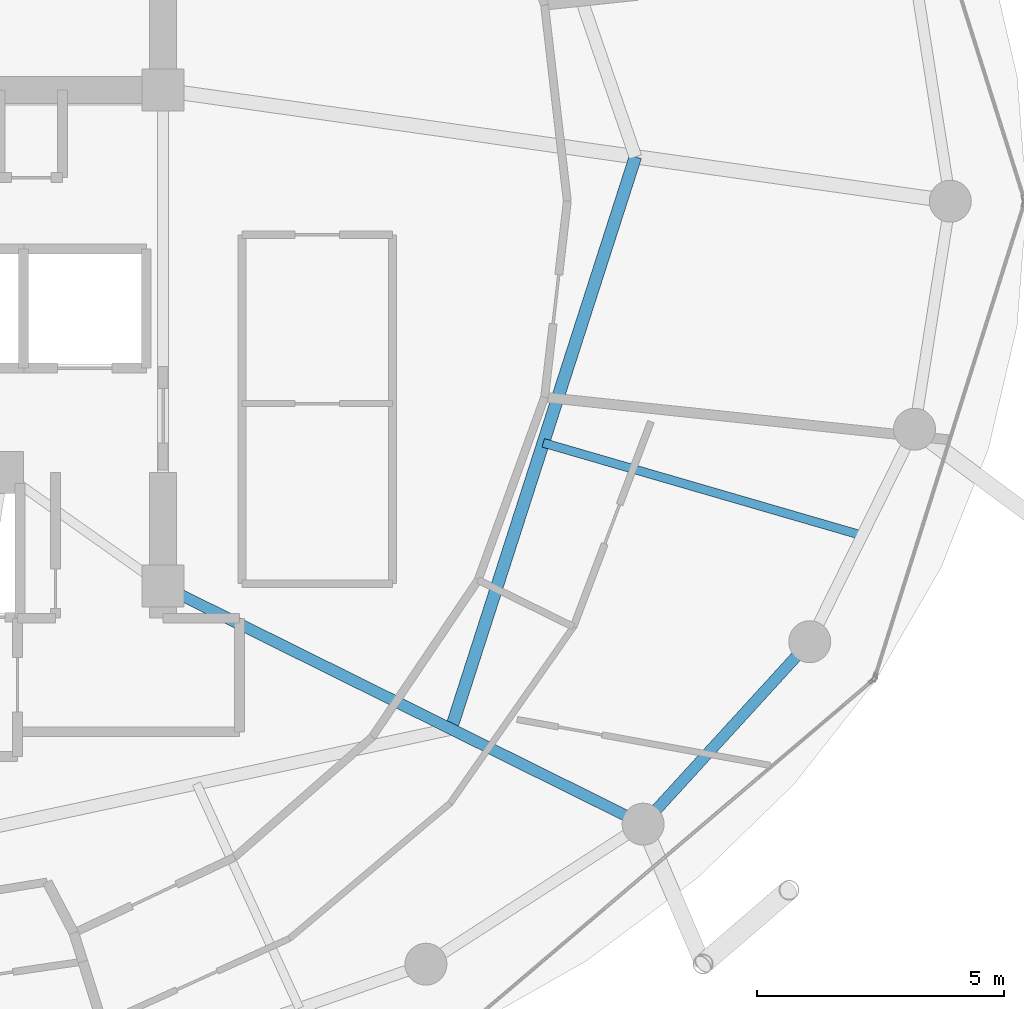
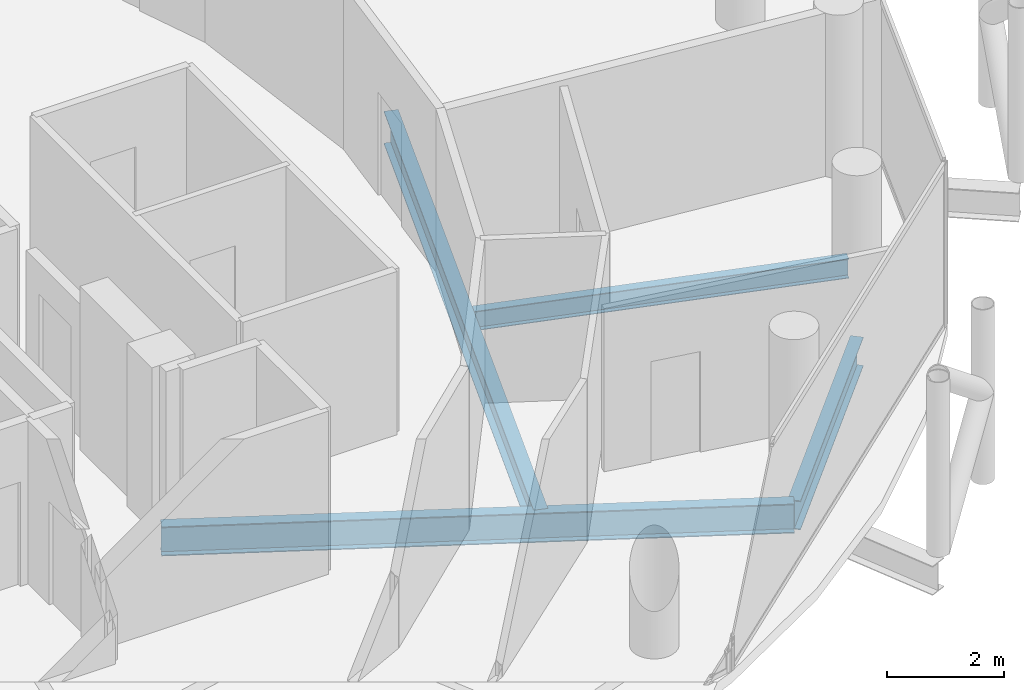
# One storey, part 12 of 27: 4 beams.
"""IFC4 building model written with IfcOpenShell, lengths in metres."""

from ifc_helpers import new_model, si_unit, direction, frame, origin, origin_2d, place, context, subcontext, project, spatial, i_section, extrude, material, material_profile, profile_set, type_object, element, save


model = new_model("IFC4")

# Units and contexts
model_context = context("Model", 3, precision=1e-05, world=origin(), true_north=direction((0.0, 1.0)))
body_context = subcontext(model_context, "Body", "Model", "MODEL_VIEW")
ifc_project = project(units=[si_unit("LENGTHUNIT", "METRE"), si_unit("AREAUNIT", "SQUARE_METRE"), si_unit("VOLUMEUNIT", "CUBIC_METRE"), si_unit("PLANEANGLEUNIT", "RADIAN"), si_unit("MASSUNIT", "GRAM", prefix="KILO")], contexts=[model_context])

# Site, building, storey
site_placement = place(None, origin())
site = spatial("IfcSite", under=ifc_project, at=site_placement, CompositionType="ELEMENT")
building_placement = place(site_placement, origin())
building = spatial("IfcBuilding", under=site, at=building_placement, Name="Nuhasar Tower", CompositionType="ELEMENT")
storey_placement = place(building_placement, frame((0.0, 0.0, 244.64990234375)))
storey = spatial("IfcBuildingStorey", under=building, at=storey_placement, Name="L60", CompositionType="ELEMENT", Elevation=244.64990234375)

# Beams
ifc_material = material(Name="Steel S355", Category="steel")
ifc_material_profile_1 = material_profile(ifc_material, i_section(OverallWidth=0.25390625, OverallDepth=0.68408203125, WebThickness=0.012451171875, FlangeThickness=0.018798828125, at=origin_2d()), Name="W27X94")
ifc_profile_set_1 = profile_set([ifc_material_profile_1], Name="Steel S355")
beam_type_1 = type_object("IfcBeamType", Name="BM-INRING-W27X94", PredefinedType="BEAM", material=ifc_profile_set_1)
beam_1_placement = place(storey_placement, frame((50.135986328125, 16.10693359375, -0.581787109375), z_axis=(0.306589852134, 0.951841721385, 0.0), x_axis=(-0.951841721385, 0.306589852134, 0.0)))
element("IfcBeam", 1, at=beam_1_placement, inside=storey, type_object=beam_type_1, Name="L60 Inner Header Beam 03", PredefinedType="BEAM", context=body_context, shape_type="SweptSolid", body=[
    extrude(i_section(OverallWidth=0.25390625, OverallDepth=0.68408203125, WebThickness=0.012451171875, FlangeThickness=0.018798828125, at=origin_2d()), origin(), (0.0, 0.0, 1.0), 12.179443359375),
])
ifc_material_profile_2 = material_profile(ifc_material, i_section(OverallWidth=0.177978515625, OverallDepth=0.406005859375, WebThickness=0.0078125, FlangeThickness=0.0126953125, at=origin_2d()), Name="W16X40")
ifc_profile_set_2 = profile_set([ifc_material_profile_2], Name="Steel S355")
beam_type_2 = type_object("IfcBeamType", Name="BM-JST-W16X40", PredefinedType="JOIST", material=ifc_profile_set_2)
beam_2_placement = place(storey_placement, frame((52.0029296875, 21.904052734375, -0.44287109375), z_axis=(0.960312689798, -0.27892568511, 0.0), x_axis=(0.27892568511, 0.960312689798, 0.0)))
element("IfcBeam", 2, at=beam_2_placement, inside=storey, type_object=beam_type_2, Name="L60 Secondary Floor Joist 03", PredefinedType="JOIST", context=body_context, shape_type="SweptSolid", body=[
    extrude(i_section(OverallWidth=0.177978515625, OverallDepth=0.406005859375, WebThickness=0.0078125, FlangeThickness=0.0126953125, at=origin_2d()), origin(), (0.0, 0.0, 1.0), 6.729248046875),
])
ifc_material_profile_3 = material_profile(ifc_material, i_section(OverallWidth=0.22900390625, OverallDepth=0.612060546875, WebThickness=0.011962890625, FlangeThickness=0.01953125, at=origin_2d()), Name="W24X84")
ifc_profile_set_3 = profile_set([ifc_material_profile_3], Name="Steel S355")
beam_type_3 = type_object("IfcBeamType", Name="BM-RAD-W24X84", PredefinedType="BEAM", material=ifc_profile_set_3)
beam_3_placement = place(storey_placement, frame((44.300048828125, 19.0, -0.5458984375), z_axis=(0.895928935233, -0.444197414459, 0.0), x_axis=(0.444197414459, 0.895928935233, 0.0)))
element("IfcBeam", 3, at=beam_3_placement, inside=storey, type_object=beam_type_3, Name="L60 Radial Floor Girder 03", PredefinedType="BEAM", context=body_context, shape_type="SweptSolid", body=[
    extrude(i_section(OverallWidth=0.22900390625, OverallDepth=0.612060546875, WebThickness=0.011962890625, FlangeThickness=0.01953125, at=origin_2d()), origin(), (0.0, 0.0, 1.0), 10.85546875),
])
ifc_material_profile_4 = material_profile(ifc_material, i_section(OverallWidth=0.22802734375, OverallDepth=0.60791015625, WebThickness=0.01123046875, FlangeThickness=0.017333984375, at=origin_2d()), Name="W24X76")
ifc_profile_set_4 = profile_set([ifc_material_profile_4], Name="Steel S355")
beam_type_4 = type_object("IfcBeamType", Name="BM-RING-W24X76", PredefinedType="SPANDREL", material=ifc_profile_set_4)
beam_4_placement = place(storey_placement, frame((54.02587890625, 14.177978515625, -0.5439453125), z_axis=(0.674449692975, 0.738320805373, 0.0), x_axis=(-0.738320805373, 0.674449692975, 0.0)))
element("IfcBeam", 4, at=beam_4_placement, inside=storey, type_object=beam_type_4, Name="L60 Perimeter Ring Spandrel 22", PredefinedType="SPANDREL", context=body_context, shape_type="SweptSolid", body=[
    extrude(i_section(OverallWidth=0.22802734375, OverallDepth=0.60791015625, WebThickness=0.01123046875, FlangeThickness=0.017333984375, at=origin_2d()), origin(), (0.0, 0.0, 1.0), 5.00732421875),
])

save(model, "model.ifc")
